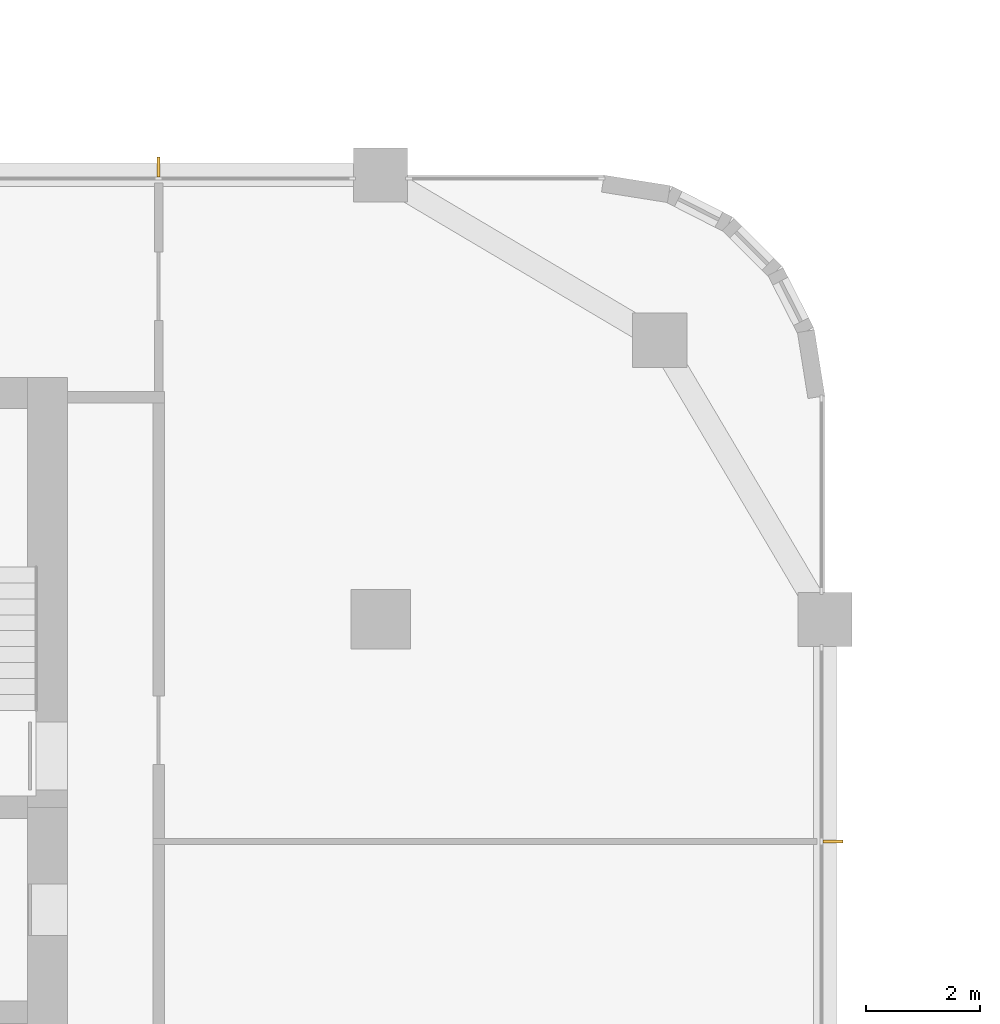
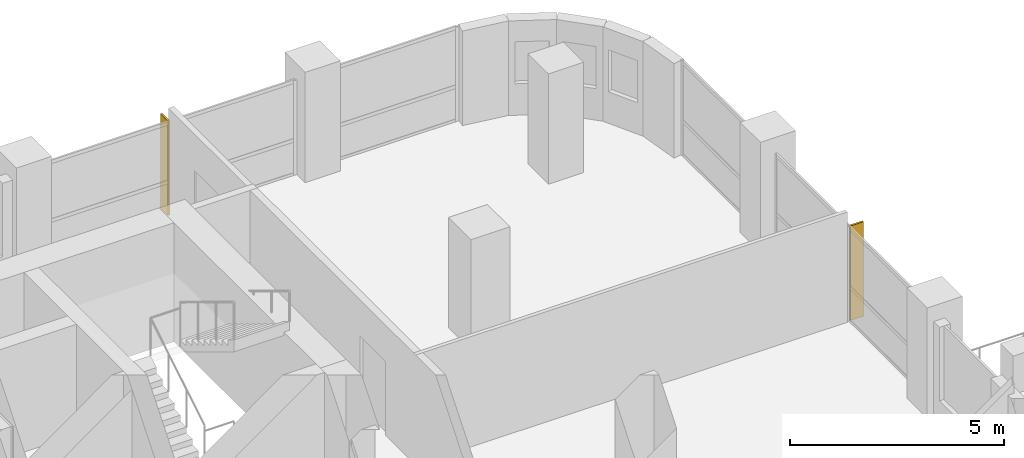
# One storey, part 20 of 21: 2 shading devices.
"""IFC4 building model written with IfcOpenShell, lengths in metres."""

import ifcopenshell
import ifcopenshell.guid

model = None  # the IFC model being written
_history = None  # IfcOwnerHistory: only IFC2X3 demands one
_inside = {}  # id of a spatial element -> (the spatial element, [elements in it])
_under = {}  # id of a project, library or spatial element -> (it, [spatial elements below it])
_declared = {}  # id of a project -> (the project, [libraries it declares])
_typed = {}  # id of a type object -> (the type object, [elements of that type])
_made_of = {}  # id of a material, layer set ... -> (it, [elements and type objects made of it])


def new_model(schema):
    """Start an empty IFC model of exactly this schema.

    Asked for "IFC4X3", IfcOpenShell would pick the latest addendum, in which some entities
    have other attributes; the version numbers below select the first issue.
    IFC2X3 requires an IfcOwnerHistory on every rooted entity: one is made here for all.
    """
    global model, _history
    if schema == "IFC4X3":
        model = ifcopenshell.file(schema_version=(4, 3, 0, 0))
    else:
        model = ifcopenshell.file(schema=schema)
    _inside.clear()
    _under.clear()
    _declared.clear()
    _typed.clear()
    _made_of.clear()
    _history = None
    if model.schema == "IFC2X3":
        org = make("IfcOrganization", Name="unknown")
        user = make(
            "IfcPersonAndOrganization",
            ThePerson=make("IfcPerson", FamilyName="unknown"),
            TheOrganization=org,
        )
        app = make(
            "IfcApplication",
            ApplicationDeveloper=org,
            Version="unknown",
            ApplicationFullName="unknown",
            ApplicationIdentifier="unknown",
        )
        _history = make(
            "IfcOwnerHistory",
            OwningUser=user,
            OwningApplication=app,
            ChangeAction="ADDED",
            CreationDate=0,
        )
    return model


def make(cls, **values):
    """One entity of the class cls with the attributes given. An attribute that is None is left unset."""
    return model.create_entity(
        cls, **{name: value for name, value in values.items() if value is not None}
    )


def rooted(cls, **values):
    """An entity with a GlobalId (a new one), such as an element, a storey or a relation."""
    return make(cls, GlobalId=ifcopenshell.guid.new(), OwnerHistory=_history, **values)


def si_unit(unit_type, name, prefix=None):
    """IfcSIUnit, for example si_unit("LENGTHUNIT", "METRE", prefix="MILLI")."""
    return make("IfcSIUnit", UnitType=unit_type, Prefix=prefix, Name=name)


def assignment(units):
    """IfcUnitAssignment: the units of a project."""
    return None if units is None else make("IfcUnitAssignment", Units=units)


def point(xyz):
    """IfcCartesianPoint."""
    return None if xyz is None else make("IfcCartesianPoint", Coordinates=xyz)


def direction(xyz):
    """IfcDirection."""
    return None if xyz is None else make("IfcDirection", DirectionRatios=xyz)


def frame(location, z_axis=None, x_axis=None):
    """IfcAxis2Placement3D, a coordinate frame: its origin and axes. An axis left out is left unset."""
    return make(
        "IfcAxis2Placement3D",
        Location=point(location),
        Axis=direction(z_axis),
        RefDirection=direction(x_axis),
    )


def frame_2d(location, x_axis=None):
    """IfcAxis2Placement2D, a coordinate frame in the plane: its origin and x axis."""
    return make(
        "IfcAxis2Placement2D", Location=point(location), RefDirection=direction(x_axis)
    )


def origin():
    """The frame at (0, 0, 0) with its axes left unset."""
    return frame((0.0, 0.0, 0.0))


def origin_2d():
    """The frame at (0, 0) in the plane with its x axis left unset."""
    return frame_2d((0.0, 0.0))


def place(relative_to, where):
    """IfcLocalPlacement: puts the frame where relative to a parent placement (None: the world)."""
    return make(
        "IfcLocalPlacement", PlacementRelTo=relative_to, RelativePlacement=where
    )


def context(
    kind, dimensions, precision=None, world=None, true_north=None, identifier=None
):
    """IfcGeometricRepresentationContext, for example the 3D "Model" context."""
    return make(
        "IfcGeometricRepresentationContext",
        ContextIdentifier=identifier,
        ContextType=kind,
        CoordinateSpaceDimension=dimensions,
        Precision=precision,
        WorldCoordinateSystem=world,
        TrueNorth=true_north,
    )


def subcontext(parent, identifier, kind, view, scale=None):
    """IfcGeometricRepresentationSubContext, for example "Body" below "Model"."""
    return make(
        "IfcGeometricRepresentationSubContext",
        ContextIdentifier=identifier,
        ContextType=kind,
        ParentContext=parent,
        TargetScale=scale,
        TargetView=view,
    )


def project(units=None, contexts=None):
    """IfcProject with its units and contexts."""
    return rooted(
        "IfcProject",
        Name="project",
        RepresentationContexts=contexts,
        UnitsInContext=assignment(units),
    )


def spatial(cls, under=None, at=None, **own):
    """A site, building, storey or space (cls), placed at a placement, below another one or the project."""
    s = rooted(cls, ObjectPlacement=at, **own)
    if under is not None:
        _under.setdefault(under.id(), (under, []))[1].append(s)
    return s


def profile(cls, at=None, kind="AREA", **sizes):
    """A parametric profile (cls). Its sizes go by their IFC names, for example OverallWidth=200.0."""
    return make(cls, ProfileType=kind, Position=at, **sizes)


def rectangle(**sizes):
    """IfcRectangleProfileDef."""
    return profile("IfcRectangleProfileDef", **sizes)


def extrude(swept, where, along, depth):
    """IfcExtrudedAreaSolid: the profile swept, set in the frame where, extruded along a direction by depth."""
    return make(
        "IfcExtrudedAreaSolid",
        SweptArea=swept,
        Position=where,
        ExtrudedDirection=direction(along),
        Depth=depth,
    )


def shape(context_of_items, identifier, shape_type, items):
    """IfcShapeRepresentation: the items that make up one representation, for example the "Body"."""
    return make(
        "IfcShapeRepresentation",
        ContextOfItems=context_of_items,
        RepresentationIdentifier=identifier,
        RepresentationType=shape_type,
        Items=items,
    )


def material(Name=None, Category=None):
    """IfcMaterial."""
    return make("IfcMaterial", Name=Name, Category=Category)


def layer(
    of_material, thickness, ventilated=None, Name=None, Category=None, Priority=None
):
    """IfcMaterialLayer: one layer of a wall or slab, of a material (None: an air gap)."""
    return make(
        "IfcMaterialLayer",
        Material=of_material,
        LayerThickness=thickness,
        IsVentilated=ventilated,
        Name=Name,
        Category=Category,
        Priority=Priority,
    )


def layer_set(layers, Name=None):
    """IfcMaterialLayerSet."""
    return make("IfcMaterialLayerSet", MaterialLayers=layers, LayerSetName=Name)


def made_of(thing, what):
    """Note that an element or type object is made of a material, layer set ...; save() writes the relation."""
    if what is not None:
        _made_of.setdefault(what.id(), (what, []))[1].append(thing)
    return thing


def type_object(cls, material=None, **own):
    """A type object (cls), such as IfcWallType, which elements share."""
    return made_of(rooted(cls, **own), material)


def element(
    cls,
    number,
    at=None,
    inside=None,
    cuts=None,
    type_object=None,
    material=None,
    context=None,
    identifier="Body",
    shape_type=None,
    held_by="IfcProductDefinitionShape",
    body=None,
    shapes=None,
    **own,
):
    """One element of the class cls, such as IfcWall. Its Tag is "e" and its number.

    at: its placement. inside: the storey or other place that contains it. cuts: it is an
    opening in that element (IfcRelVoidsElement). A single representation is given by context,
    identifier, shape_type and body (its items); several are given by shapes. held_by: the class
    of the entity that holds the representations. save() writes the other relations.
    """
    e = rooted(cls, Tag="e%d" % number, ObjectPlacement=at, **own)
    if body is not None:
        shapes = [shape(context, identifier, shape_type, body)]
    if shapes is not None:
        e.Representation = make(held_by, Representations=shapes)
    if inside is not None:
        _inside.setdefault(inside.id(), (inside, []))[1].append(e)
    if cuts is not None:
        rooted(
            "IfcRelVoidsElement", RelatingBuildingElement=cuts, RelatedOpeningElement=e
        )
    if type_object is not None:
        _typed.setdefault(type_object.id(), (type_object, []))[1].append(e)
    return made_of(e, material)


def aggregate(whole, parts):
    """IfcRelAggregates: a whole, such as a stair, and the parts it consists of."""
    return rooted("IfcRelAggregates", RelatingObject=whole, RelatedObjects=parts)


def save(model, path):
    """Write the relations noted so far, then the file.

    IfcRelAggregates (storeys below a building ...), IfcRelContainedInSpatialStructure (elements
    in a storey), IfcRelDefinesByType, IfcRelAssociatesMaterial and IfcRelDeclares: one each for
    every whole, place, type object, material and project.
    """
    for whole, parts in _under.values():
        aggregate(whole, parts)
    for where, things in _inside.values():
        rooted(
            "IfcRelContainedInSpatialStructure",
            RelatedElements=things,
            RelatingStructure=where,
        )
    for kind, things in _typed.values():
        rooted("IfcRelDefinesByType", RelatedObjects=things, RelatingType=kind)
    for what, things in _made_of.values():
        rooted("IfcRelAssociatesMaterial", RelatedObjects=things, RelatingMaterial=what)
    for by, libraries in _declared.values():
        rooted("IfcRelDeclares", RelatingContext=by, RelatedDefinitions=libraries)
    model.write(path)


model = new_model("IFC4")

# Units and contexts
model_context = context("Model", 3, precision=1e-05, world=origin(), true_north=direction((0.0, 1.0)))
body_context = subcontext(model_context, "Body", "Model", "MODEL_VIEW")
ifc_project = project(units=[si_unit("LENGTHUNIT", "METRE"), si_unit("AREAUNIT", "SQUARE_METRE"), si_unit("VOLUMEUNIT", "CUBIC_METRE"), si_unit("PLANEANGLEUNIT", "RADIAN"), si_unit("MASSUNIT", "GRAM", prefix="KILO")], contexts=[model_context])

# Site, building, storey
site_placement = place(None, origin())
site = spatial("IfcSite", under=ifc_project, at=site_placement, CompositionType="ELEMENT")
building_placement = place(site_placement, origin())
building = spatial("IfcBuilding", under=site, at=building_placement, Name="Ludao Terraces", CompositionType="ELEMENT")
storey_placement = place(building_placement, frame((0.0, 0.0, 71.60009765625)))
storey = spatial("IfcBuildingStorey", under=building, at=storey_placement, Name="L19", CompositionType="ELEMENT", Elevation=71.60009765625)

# Shading devices
ifc_material = material(Name="Aluminium 6063-T6", Category="aluminium")
ifc_layer = layer(ifc_material, 0.050048828125)
ifc_layer_set = layer_set([ifc_layer], Name="ENV Sun fin 50x350")
shading_device_type = type_object("IfcShadingDeviceType", Name="ENV Sun fin 50x350", PredefinedType="USERDEFINED", material=ifc_layer_set)
shading_device_1_placement = place(storey_placement, frame((108.5400390625, 76.699951171875, 0.0), z_axis=(0.0, 0.0, 1.0), x_axis=(1.0, 0.0, 0.0)))
element("IfcShadingDevice", 1, at=shading_device_1_placement, inside=storey, type_object=shading_device_type, Name="FN-CW-L19-E5-1", ObjectType="FIN", PredefinedType="USERDEFINED", context=body_context, shape_type="SweptSolid", body=[
    extrude(rectangle(XDim=0.35009765625, YDim=0.050048828125, at=origin_2d()), origin(), (0.0, 0.0, 1.0), 2.699951171875),
])
shading_device_2_placement = place(storey_placement, frame((96.699951171875, 88.5400390625, 0.0), z_axis=(0.0, 0.0, 1.0), x_axis=(1.0, 0.0, 0.0)))
element("IfcShadingDevice", 2, at=shading_device_2_placement, inside=storey, type_object=shading_device_type, Name="FN-CW-L19-N5-1", ObjectType="FIN", PredefinedType="USERDEFINED", context=body_context, shape_type="SweptSolid", body=[
    extrude(rectangle(XDim=0.050048828125, YDim=0.35009765625, at=origin_2d()), origin(), (0.0, 0.0, 1.0), 2.699951171875),
])

save(model, "model.ifc")
